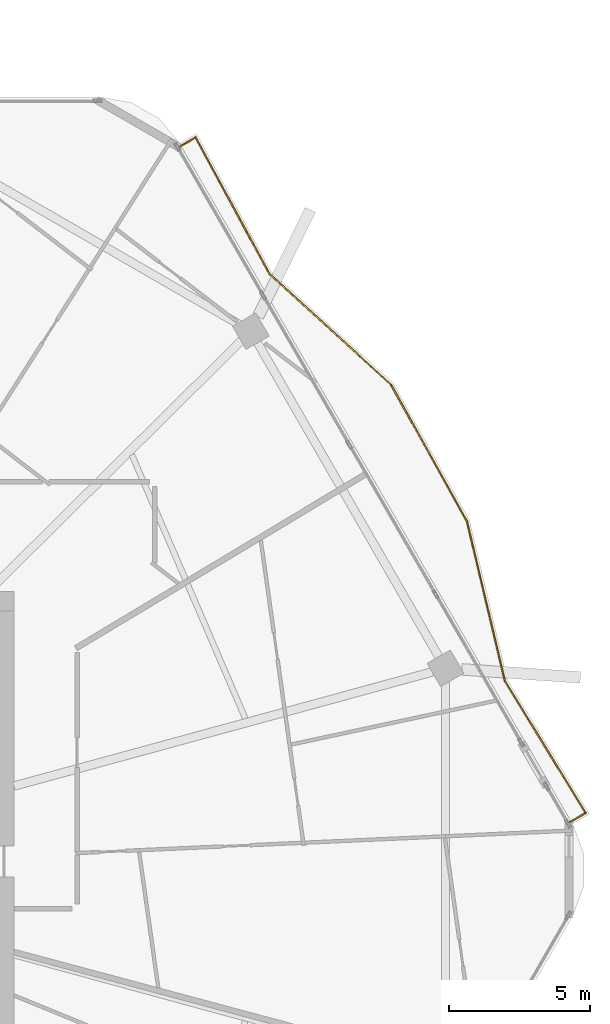
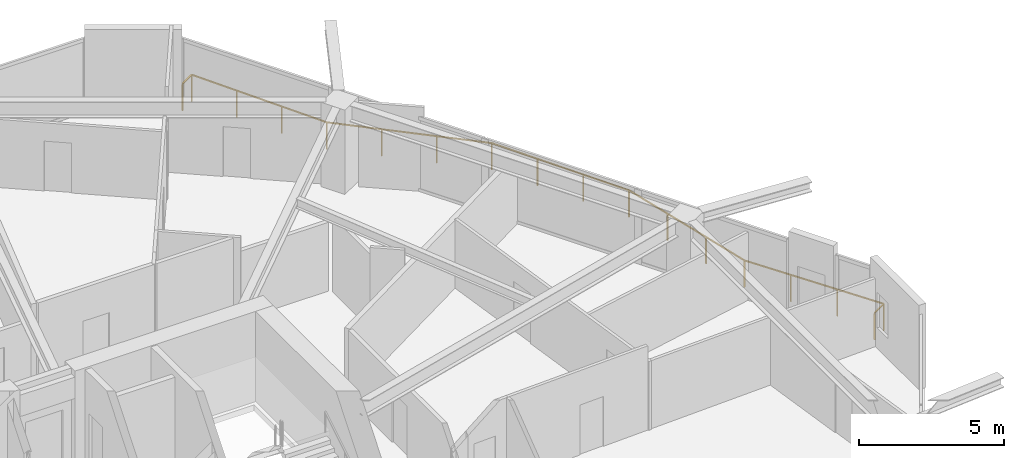
# One storey, part 26 of 26: 1 railing.
"""IFC4 building model written with IfcOpenShell, lengths in metres."""

from ifc_helpers import new_model, si_unit, direction, frame, origin, origin_2d, place, context, subcontext, project, spatial, rectangle, extrude, material, type_object, element, save


model = new_model("IFC4")

# Units and contexts
model_context = context("Model", 3, precision=1e-05, world=origin(), true_north=direction((0.0, 1.0)))
body_context = subcontext(model_context, "Body", "Model", "MODEL_VIEW")
ifc_project = project(units=[si_unit("LENGTHUNIT", "METRE"), si_unit("AREAUNIT", "SQUARE_METRE"), si_unit("VOLUMEUNIT", "CUBIC_METRE"), si_unit("PLANEANGLEUNIT", "RADIAN"), si_unit("MASSUNIT", "GRAM", prefix="KILO")], contexts=[model_context])

# Site, building, storey
site_placement = place(None, origin())
site = spatial("IfcSite", under=ifc_project, at=site_placement, CompositionType="ELEMENT")
building_placement = place(site_placement, origin())
building = spatial("IfcBuilding", under=site, at=building_placement, Name="Zuhravey Tower", CompositionType="ELEMENT")
storey_placement = place(building_placement, frame((0.0, 0.0, 203.60009765625)))
storey = spatial("IfcBuildingStorey", under=building, at=storey_placement, Name="L51", CompositionType="ELEMENT", Elevation=203.60009765625)

# Railing
ifc_material = material(Name="Stainless steel 316 and laminated glass", Category="steel")
railing_type = type_object("IfcRailingType", Name="Balcony & Terrace Guardrail 1150", PredefinedType="BALUSTRADE", material=ifc_material)
railing_placement = place(storey_placement, frame((52.719970703125, 57.576416015625, 0.0)))
element("IfcRailing", 1, at=railing_placement, inside=storey, type_object=railing_type, Name="L51 Face 1 Wave Balcony Guardrail GR1", PredefinedType="BALUSTRADE", context=body_context, shape_type="SweptSolid", body=[
    extrude(rectangle(XDim=0.048095703125, YDim=0.048095703125, at=origin_2d()), frame((0.001708984375, 0.0009765625, 1.1259765625), z_axis=(0.865898279276, 0.500220121494, 0.0), x_axis=(-0.500220121494, 0.865898279276, 0.0)), (0.0, 0.0, 1.0), 0.6328125),
    extrude(rectangle(XDim=0.048095703125, YDim=0.048095703125, at=origin_2d()), frame((0.552490234375, 0.31689453125, 1.1259765625), z_axis=(0.475626206806, -0.879647492692, 0.0), x_axis=(0.879647492692, 0.475626206806, 0.0)), (0.0, 0.0, 1.0), 5.46826171875),
    extrude(rectangle(XDim=0.048095703125, YDim=0.048095703125, at=origin_2d()), frame((3.15576171875, -4.49658203125, 1.1259765625), z_axis=(0.73871481332, -0.674018118882, 0.0), x_axis=(0.674018118882, 0.73871481332, 0.0)), (0.0, 0.0, 1.0), 5.826171875),
    extrude(rectangle(XDim=0.048095703125, YDim=0.048095703125, at=origin_2d()), frame((7.462158203125, -8.426513671875, 1.1259765625), z_axis=(0.485856715814, -0.874038472665, 0.0), x_axis=(0.874038472665, 0.485856715814, 0.0)), (0.0, 0.0, 1.0), 5.5224609375),
    extrude(rectangle(XDim=0.048095703125, YDim=0.048095703125, at=origin_2d()), frame((10.146728515625, -13.257080078125, 1.1259765625), z_axis=(0.230962377185, -0.972962681877, 0.0), x_axis=(0.972962681877, 0.230962377185, 0.0)), (0.0, 0.0, 1.0), 5.797119140625),
    extrude(rectangle(XDim=0.048095703125, YDim=0.048095703125, at=origin_2d()), frame((11.487060546875, -18.901123046875, 1.1259765625), z_axis=(0.521989582148, -0.852951860382, 0.0), x_axis=(0.852951860382, 0.521989582148, 0.0)), (0.0, 0.0, 1.0), 5.46728515625),
    extrude(rectangle(XDim=0.048095703125, YDim=0.048095703125, at=origin_2d()), frame((14.34033203125, -23.567138671875, 1.1259765625), z_axis=(-0.866089912433, -0.499888251095, 0.0), x_axis=(0.499888251095, -0.866089912433, 0.0)), (0.0, 0.0, 1.0), 0.63330078125),
    extrude(rectangle(XDim=0.0419921875, YDim=0.0419921875, at=origin_2d()), origin(), (0.0, 0.0, 1.0), 1.099853515625),
    extrude(rectangle(XDim=0.0419921875, YDim=0.0419921875, at=origin_2d()), frame((0.551513671875, 0.318603515625, 0.0)), (0.0, 0.0, 1.0), 1.099853515625),
    extrude(rectangle(XDim=0.0419921875, YDim=0.0419921875, at=origin_2d()), frame((1.419189453125, -1.285888671875, 0.0)), (0.0, 0.0, 1.0), 1.099853515625),
    extrude(rectangle(XDim=0.0419921875, YDim=0.0419921875, at=origin_2d()), frame((2.28662109375, -2.890625, 0.0)), (0.0, 0.0, 1.0), 1.099853515625),
    extrude(rectangle(XDim=0.0419921875, YDim=0.0419921875, at=origin_2d()), frame((3.154296875, -4.4951171875, 0.0)), (0.0, 0.0, 1.0), 1.099853515625),
    extrude(rectangle(XDim=0.0419921875, YDim=0.0419921875, at=origin_2d()), frame((4.58984375, -5.804931640625, 0.0)), (0.0, 0.0, 1.0), 1.099853515625),
    extrude(rectangle(XDim=0.0419921875, YDim=0.0419921875, at=origin_2d()), frame((6.025634765625, -7.114990234375, 0.0)), (0.0, 0.0, 1.0), 1.099853515625),
    extrude(rectangle(XDim=0.0419921875, YDim=0.0419921875, at=origin_2d()), frame((7.461181640625, -8.4248046875, 0.0)), (0.0, 0.0, 1.0), 1.099853515625),
    extrude(rectangle(XDim=0.0419921875, YDim=0.0419921875, at=origin_2d()), frame((8.356201171875, -10.034912109375, 0.0)), (0.0, 0.0, 1.0), 1.099853515625),
    extrude(rectangle(XDim=0.0419921875, YDim=0.0419921875, at=origin_2d()), frame((9.251220703125, -11.64501953125, 0.0)), (0.0, 0.0, 1.0), 1.099853515625),
    extrude(rectangle(XDim=0.0419921875, YDim=0.0419921875, at=origin_2d()), frame((10.146240234375, -13.255126953125, 0.0)), (0.0, 0.0, 1.0), 1.099853515625),
    extrude(rectangle(XDim=0.0419921875, YDim=0.0419921875, at=origin_2d()), frame((10.5927734375, -15.136474609375, 0.0)), (0.0, 0.0, 1.0), 1.099853515625),
    extrude(rectangle(XDim=0.0419921875, YDim=0.0419921875, at=origin_2d()), frame((11.03955078125, -17.01806640625, 0.0)), (0.0, 0.0, 1.0), 1.099853515625),
    extrude(rectangle(XDim=0.0419921875, YDim=0.0419921875, at=origin_2d()), frame((11.486083984375, -18.8994140625, 0.0)), (0.0, 0.0, 1.0), 1.099853515625),
    extrude(rectangle(XDim=0.0419921875, YDim=0.0419921875, at=origin_2d()), frame((12.43798828125, -20.455078125, 0.0)), (0.0, 0.0, 1.0), 1.099853515625),
    extrude(rectangle(XDim=0.0419921875, YDim=0.0419921875, at=origin_2d()), frame((13.39013671875, -22.010498046875, 0.0)), (0.0, 0.0, 1.0), 1.099853515625),
    extrude(rectangle(XDim=0.0419921875, YDim=0.0419921875, at=origin_2d()), frame((14.342041015625, -23.566162109375, 0.0)), (0.0, 0.0, 1.0), 1.099853515625),
    extrude(rectangle(XDim=0.0419921875, YDim=0.0419921875, at=origin_2d()), frame((13.7900390625, -23.884765625, 0.0)), (0.0, 0.0, 1.0), 1.099853515625),
])

save(model, "model.ifc")
